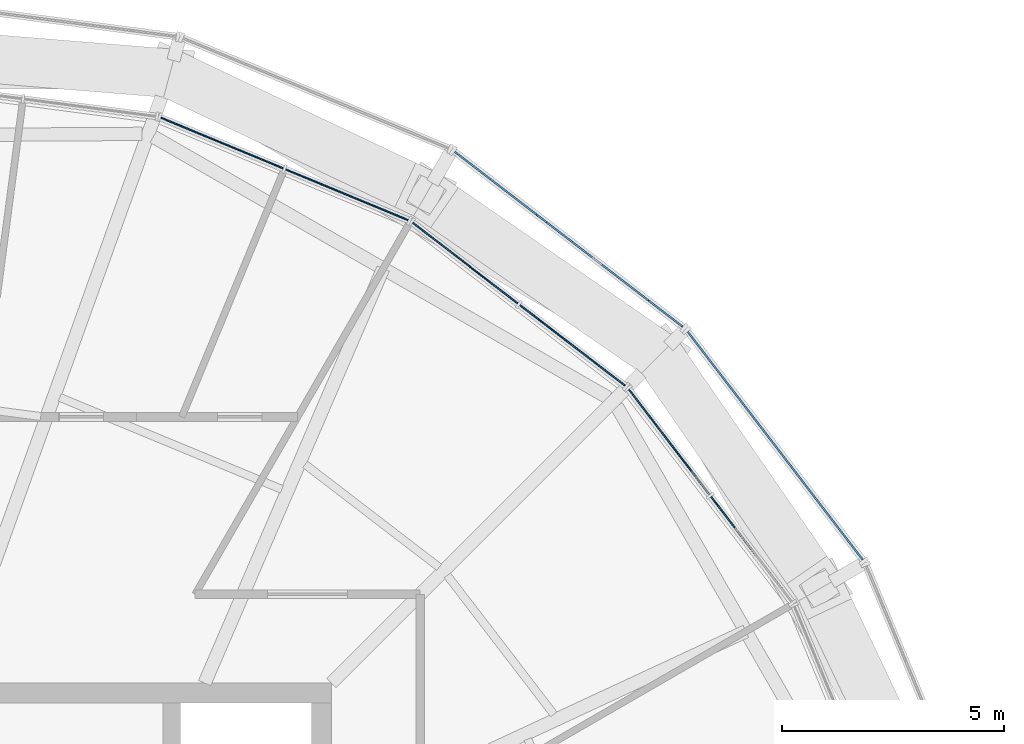
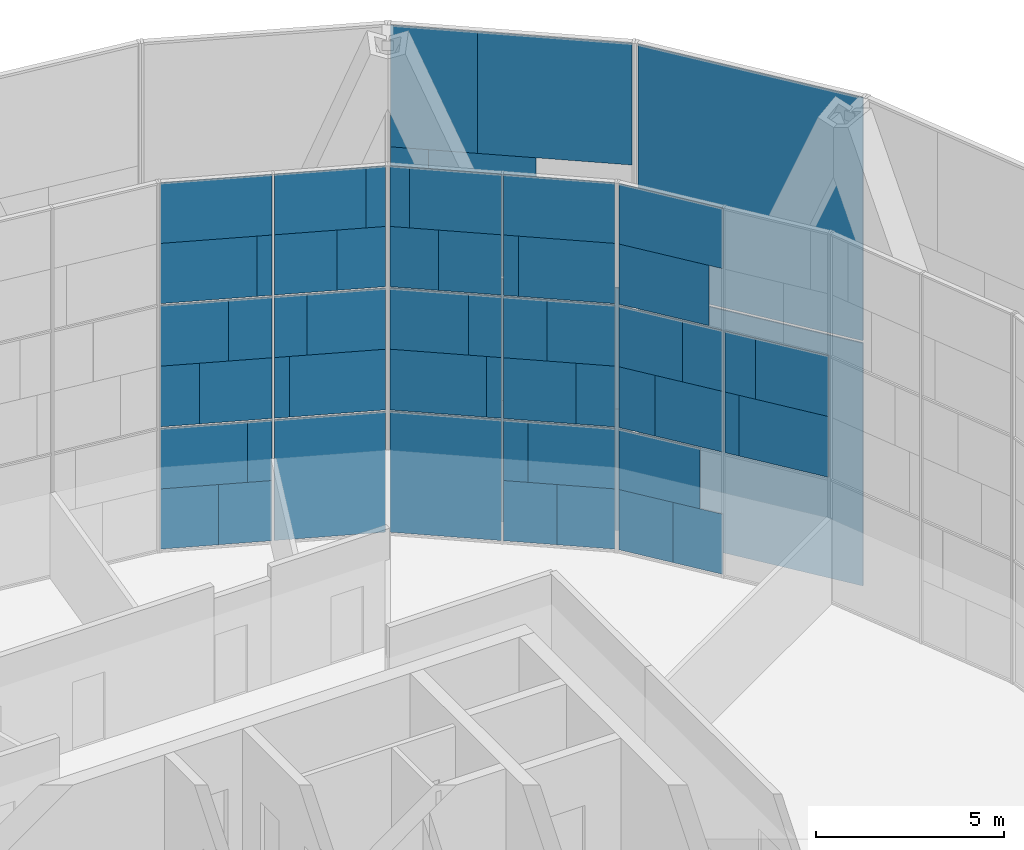
# One storey, part 22 of 26: 64 plates, 5 elements without a shape of their own.
"""IFC4 building model written with IfcOpenShell, lengths in metres."""

from ifc_helpers import new_model, si_unit, direction, frame, origin, origin_2d, place, context, subcontext, project, spatial, rectangle, extrude, material, layer, layer_set, type_object, element, aggregate, save


model = new_model("IFC4")

# Units and contexts
model_context = context("Model", 3, precision=1e-05, world=origin(), true_north=direction((0.0, 1.0)))
body_context = subcontext(model_context, "Body", "Model", "MODEL_VIEW")
ifc_project = project(units=[si_unit("LENGTHUNIT", "METRE"), si_unit("AREAUNIT", "SQUARE_METRE"), si_unit("VOLUMEUNIT", "CUBIC_METRE"), si_unit("PLANEANGLEUNIT", "RADIAN"), si_unit("MASSUNIT", "GRAM", prefix="KILO")], contexts=[model_context])

# Site, building, storey
site_placement = place(None, origin())
site = spatial("IfcSite", under=ifc_project, at=site_placement, CompositionType="ELEMENT")
building_placement = place(site_placement, origin())
building = spatial("IfcBuilding", under=site, at=building_placement, Name="Golbaran Civic Tower", CompositionType="ELEMENT")
storey_placement = place(building_placement, frame((0.0, 0.0, 199.0)))
storey = spatial("IfcBuildingStorey", under=building, at=storey_placement, Name="L48", CompositionType="ELEMENT", Elevation=199.0)

# Curtain wall, plates
ifc_material_1 = material(Name="Aluminium and glass", Category="aluminium")
curtain_wall_type_1 = type_object("IfcCurtainWallType", Name="INNER SKIN CURTAIN WALL EXECUTIVE", PredefinedType="NOTDEFINED", material=ifc_material_1)
curtain_wall_1_placement = place(storey_placement, origin())
curtain_wall_1 = element("IfcCurtainWall", 1, at=curtain_wall_1_placement, inside=storey, type_object=curtain_wall_type_1, Name="Inner skin L48 facet 3 CW2", ObjectType="INNER SKIN", PredefinedType="USERDEFINED")
ifc_material_2 = material(Name="Clear insulating glass", Category="glass")
ifc_layer_1 = layer(ifc_material_2, 0.031982421875, Name="Clear insulating glass")
ifc_layer_set_1 = layer_set([ifc_layer_1], Name="Clear insulating glass")
plate_type_1 = type_object("IfcPlateType", Name="INNER SKIN CURTAIN WALL EXECUTIVE GLAZED PANEL", PredefinedType="CURTAIN_PANEL", material=ifc_layer_set_1)
plate_1_placement = place(storey_placement, frame((19.586181640625, 12.8564453125, 4.02978515625), z_axis=(0.0, 0.0, 1.0), x_axis=(-0.60876142905, 0.793353340259, 0.0)))
plate_1 = element("IfcPlate", 2, at=plate_1_placement, type_object=plate_type_1, Name="CW2 panel 1.2 part 1", PredefinedType="CURTAIN_PANEL", context=body_context, shape_type="SweptSolid", body=[
    extrude(rectangle(XDim=2.5849609375, YDim=0.031982421875, at=origin_2d()), origin(), (0.0, 0.0, 1.0), 1.969970703125),
])
plate_2_placement = place(storey_placement, frame((19.731689453125, 12.6669921875, 6.0), z_axis=(0.0, 0.0, 1.0), x_axis=(-0.60876142905, 0.793353340259, 0.0)))
plate_2 = element("IfcPlate", 3, at=plate_2_placement, type_object=plate_type_1, Name="CW2 panel 1.2 part 3", PredefinedType="CURTAIN_PANEL", context=body_context, shape_type="SweptSolid", body=[
    extrude(rectangle(XDim=2.10693359375, YDim=0.031982421875, at=origin_2d()), origin(), (0.0, 0.0, 1.0), 1.969970703125),
])
plate_3_placement = place(storey_placement, frame((18.08251953125, 14.816162109375, 0.06005859375), z_axis=(0.0, 0.0, 1.0), x_axis=(-0.60876142905, 0.793353340259, 0.0)))
plate_3 = element("IfcPlate", 4, at=plate_3_placement, type_object=plate_type_1, Name="CW2 panel 2.1 part 1", PredefinedType="CURTAIN_PANEL", context=body_context, shape_type="SweptSolid", body=[
    extrude(rectangle(XDim=1.43310546875, YDim=0.031982421875, at=origin_2d()), origin(), (0.0, 0.0, 1.0), 1.955078125),
])
plate_4_placement = place(storey_placement, frame((17.0166015625, 16.205322265625, 4.02978515625), z_axis=(0.0, 0.0, 1.0), x_axis=(-0.60876142905, 0.793353340259, 0.0)))
plate_4 = element("IfcPlate", 5, at=plate_4_placement, type_object=plate_type_1, Name="CW2 panel 2.2 part 2", PredefinedType="CURTAIN_PANEL", context=body_context, shape_type="SweptSolid", body=[
    extrude(rectangle(XDim=1.037109375, YDim=0.031982421875, at=origin_2d()), origin(), (0.0, 0.0, 1.0), 1.969970703125),
])
plate_5_placement = place(storey_placement, frame((17.255615234375, 15.89404296875, 6.0), z_axis=(0.0, 0.0, 1.0), x_axis=(-0.60876142905, 0.793353340259, 0.0)))
plate_5 = element("IfcPlate", 6, at=plate_5_placement, type_object=plate_type_1, Name="CW2 panel 2.2 part 4", PredefinedType="CURTAIN_PANEL", context=body_context, shape_type="SweptSolid", body=[
    extrude(rectangle(XDim=1.822021484375, YDim=0.031982421875, at=origin_2d()), origin(), (0.0, 0.0, 1.0), 1.969970703125),
])
plate_6_placement = place(storey_placement, frame((17.488037109375, 15.5908203125, 8.030029296875), z_axis=(0.0, 0.0, 1.0), x_axis=(-0.60876142905, 0.793353340259, 0.0)))
plate_6 = element("IfcPlate", 7, at=plate_6_placement, type_object=plate_type_1, Name="CW2 panel 2.3 part 2", PredefinedType="CURTAIN_PANEL", context=body_context, shape_type="SweptSolid", body=[
    extrude(rectangle(XDim=2.586181640625, YDim=0.031982421875, at=origin_2d()), origin(), (0.0, 0.0, 1.0), 1.955078125),
])
plate_7_placement = place(storey_placement, frame((17.60986328125, 15.432373046875, 9.98486328125), z_axis=(0.0, 0.0, 1.0), x_axis=(-0.60876142905, 0.793353340259, 0.0)))
plate_7 = element("IfcPlate", 8, at=plate_7_placement, type_object=plate_type_1, Name="CW2 panel 2.3 part 3", PredefinedType="CURTAIN_PANEL", context=body_context, shape_type="SweptSolid", body=[
    extrude(rectangle(XDim=2.986083984375, YDim=0.031982421875, at=origin_2d()), origin(), (0.0, 0.0, 1.0), 1.955078125),
])

curtain_wall_2_placement = place(storey_placement, origin())
curtain_wall_2 = element("IfcCurtainWall", 9, at=curtain_wall_2_placement, inside=storey, type_object=curtain_wall_type_1, Name="Inner skin L48 facet 4 CW2", ObjectType="INNER SKIN", PredefinedType="USERDEFINED")
plate_8_placement = place(storey_placement, frame((14.816162109375, 18.08251953125, 0.06005859375), z_axis=(0.0, 0.0, 1.0), x_axis=(-0.793353340259, 0.60876142905, 0.0)))
plate_8 = element("IfcPlate", 10, at=plate_8_placement, type_object=plate_type_1, Name="CW2 panel 1.1 part 2", PredefinedType="CURTAIN_PANEL", context=body_context, shape_type="SweptSolid", body=[
    extrude(rectangle(XDim=1.43310546875, YDim=0.031982421875, at=origin_2d()), origin(), (0.0, 0.0, 1.0), 1.955078125),
])
plate_9_placement = place(storey_placement, frame((14.50732421875, 18.319580078125, 2.014892578125), z_axis=(0.0, 0.0, 1.0), x_axis=(-0.793353340259, 0.60876142905, 0.0)))
plate_9 = element("IfcPlate", 11, at=plate_9_placement, type_object=plate_type_1, Name="CW2 panel 1.1 part 4", PredefinedType="CURTAIN_PANEL", context=body_context, shape_type="SweptSolid", body=[
    extrude(rectangle(XDim=0.654052734375, YDim=0.031982421875, at=origin_2d()), origin(), (0.0, 0.0, 1.0), 1.955078125),
])
plate_10_placement = place(storey_placement, frame((16.205322265625, 17.0166015625, 4.02978515625), z_axis=(0.0, 0.0, 1.0), x_axis=(-0.793353340259, 0.60876142905, 0.0)))
plate_10 = element("IfcPlate", 12, at=plate_10_placement, type_object=plate_type_1, Name="CW2 panel 1.2 part 1", PredefinedType="CURTAIN_PANEL", context=body_context, shape_type="SweptSolid", body=[
    extrude(rectangle(XDim=1.037109375, YDim=0.031982421875, at=origin_2d()), origin(), (0.0, 0.0, 1.0), 1.969970703125),
])
plate_11_placement = place(storey_placement, frame((15.89404296875, 17.25537109375, 6.0), z_axis=(0.0, 0.0, 1.0), x_axis=(-0.793353340259, 0.60876142905, 0.0)))
plate_11 = element("IfcPlate", 13, at=plate_11_placement, type_object=plate_type_1, Name="CW2 panel 1.2 part 3", PredefinedType="CURTAIN_PANEL", context=body_context, shape_type="SweptSolid", body=[
    extrude(rectangle(XDim=1.822021484375, YDim=0.031982421875, at=origin_2d()), origin(), (0.0, 0.0, 1.0), 1.969970703125),
])
plate_12_placement = place(storey_placement, frame((15.59130859375, 17.48779296875, 8.030029296875), z_axis=(0.0, 0.0, 1.0), x_axis=(-0.793353340259, 0.60876142905, 0.0)))
plate_12 = element("IfcPlate", 14, at=plate_12_placement, type_object=plate_type_1, Name="CW2 panel 1.3 part 1", PredefinedType="CURTAIN_PANEL", context=body_context, shape_type="SweptSolid", body=[
    extrude(rectangle(XDim=2.5849609375, YDim=0.031982421875, at=origin_2d()), origin(), (0.0, 0.0, 1.0), 1.955078125),
])
plate_13_placement = place(storey_placement, frame((15.432373046875, 17.60986328125, 9.98486328125), z_axis=(0.0, 0.0, 1.0), x_axis=(-0.793353340259, 0.60876142905, 0.0)))
plate_13 = element("IfcPlate", 15, at=plate_13_placement, type_object=plate_type_1, Name="CW2 panel 1.3 part 3", PredefinedType="CURTAIN_PANEL", context=body_context, shape_type="SweptSolid", body=[
    extrude(rectangle(XDim=2.986083984375, YDim=0.031982421875, at=origin_2d()), origin(), (0.0, 0.0, 1.0), 1.955078125),
])
plate_14_placement = place(storey_placement, frame((13.015625, 19.464111328125, 0.06005859375), z_axis=(0.0, 0.0, 1.0), x_axis=(-0.793353340259, 0.60876142905, 0.0)))
plate_14 = element("IfcPlate", 16, at=plate_14_placement, type_object=plate_type_1, Name="CW2 panel 2.1", PredefinedType="CURTAIN_PANEL", context=body_context, shape_type="SweptSolid", body=[
    extrude(rectangle(XDim=2.986083984375, YDim=0.031982421875, at=origin_2d()), origin(), (0.0, 0.0, 1.0), 3.909912109375),
])
plate_15_placement = place(storey_placement, frame((12.85693359375, 19.5859375, 4.02978515625), z_axis=(0.0, 0.0, 1.0), x_axis=(-0.793353340259, 0.60876142905, 0.0)))
plate_15 = element("IfcPlate", 17, at=plate_15_placement, type_object=plate_type_1, Name="CW2 panel 2.2 part 2", PredefinedType="CURTAIN_PANEL", context=body_context, shape_type="SweptSolid", body=[
    extrude(rectangle(XDim=2.586181640625, YDim=0.031982421875, at=origin_2d()), origin(), (0.0, 0.0, 1.0), 1.969970703125),
])
plate_16_placement = place(storey_placement, frame((12.6669921875, 19.731689453125, 6.0), z_axis=(0.0, 0.0, 1.0), x_axis=(-0.793353340259, 0.60876142905, 0.0)))
plate_16 = element("IfcPlate", 18, at=plate_16_placement, type_object=plate_type_1, Name="CW2 panel 2.2 part 4", PredefinedType="CURTAIN_PANEL", context=body_context, shape_type="SweptSolid", body=[
    extrude(rectangle(XDim=2.107177734375, YDim=0.031982421875, at=origin_2d()), origin(), (0.0, 0.0, 1.0), 1.969970703125),
])
plate_17_placement = place(storey_placement, frame((12.348388671875, 19.97607421875, 8.030029296875), z_axis=(0.0, 0.0, 1.0), x_axis=(-0.793353340259, 0.60876142905, 0.0)))
plate_17 = element("IfcPlate", 19, at=plate_17_placement, type_object=plate_type_1, Name="CW2 panel 2.3 part 2", PredefinedType="CURTAIN_PANEL", context=body_context, shape_type="SweptSolid", body=[
    extrude(rectangle(XDim=1.30419921875, YDim=0.031982421875, at=origin_2d()), origin(), (0.0, 0.0, 1.0), 1.955078125),
])
plate_18_placement = place(storey_placement, frame((12.039306640625, 20.21337890625, 9.98486328125), z_axis=(0.0, 0.0, 1.0), x_axis=(-0.793353340259, 0.60876142905, 0.0)))
plate_18 = element("IfcPlate", 20, at=plate_18_placement, type_object=plate_type_1, Name="CW2 panel 2.3 part 4", PredefinedType="CURTAIN_PANEL", context=body_context, shape_type="SweptSolid", body=[
    extrude(rectangle(XDim=0.525146484375, YDim=0.031982421875, at=origin_2d()), origin(), (0.0, 0.0, 1.0), 1.955078125),
])

curtain_wall_3_placement = place(storey_placement, origin())
curtain_wall_3 = element("IfcCurtainWall", 21, at=curtain_wall_3_placement, inside=storey, type_object=curtain_wall_type_1, Name="Inner skin L48 facet 5 CW2", ObjectType="INNER SKIN", PredefinedType="USERDEFINED")
plate_19_placement = place(storey_placement, frame((10.3486328125, 21.00390625, 0.06005859375), z_axis=(0.0, 0.0, 1.0), x_axis=(-0.923879532518, 0.382683432349, 0.0)))
plate_19 = element("IfcPlate", 22, at=plate_19_placement, type_object=plate_type_1, Name="CW2 panel 1.1", PredefinedType="CURTAIN_PANEL", context=body_context, shape_type="SweptSolid", body=[
    extrude(rectangle(XDim=2.986083984375, YDim=0.031982421875, at=origin_2d()), origin(), (0.0, 0.0, 1.0), 3.909912109375),
])
plate_20_placement = place(storey_placement, frame((10.533935546875, 20.92724609375, 4.02978515625), z_axis=(0.0, 0.0, 1.0), x_axis=(-0.923879532518, 0.382683432349, 0.0)))
plate_20 = element("IfcPlate", 23, at=plate_20_placement, type_object=plate_type_1, Name="CW2 panel 1.2 part 1", PredefinedType="CURTAIN_PANEL", context=body_context, shape_type="SweptSolid", body=[
    extrude(rectangle(XDim=2.5849609375, YDim=0.031982421875, at=origin_2d()), origin(), (0.0, 0.0, 1.0), 1.969970703125),
])
plate_21_placement = place(storey_placement, frame((10.754638671875, 20.835693359375, 6.0), z_axis=(0.0, 0.0, 1.0), x_axis=(-0.923879532518, 0.382683432349, 0.0)))
plate_21 = element("IfcPlate", 24, at=plate_21_placement, type_object=plate_type_1, Name="CW2 panel 1.2 part 3", PredefinedType="CURTAIN_PANEL", context=body_context, shape_type="SweptSolid", body=[
    extrude(rectangle(XDim=2.10693359375, YDim=0.031982421875, at=origin_2d()), origin(), (0.0, 0.0, 1.0), 1.969970703125),
])
plate_22_placement = place(storey_placement, frame((11.125732421875, 20.68212890625, 8.030029296875), z_axis=(0.0, 0.0, 1.0), x_axis=(-0.923879532518, 0.382683432349, 0.0)))
plate_22 = element("IfcPlate", 25, at=plate_22_placement, type_object=plate_type_1, Name="CW2 panel 1.3 part 1", PredefinedType="CURTAIN_PANEL", context=body_context, shape_type="SweptSolid", body=[
    extrude(rectangle(XDim=1.303955078125, YDim=0.031982421875, at=origin_2d()), origin(), (0.0, 0.0, 1.0), 1.955078125),
])
plate_23_placement = place(storey_placement, frame((11.485595703125, 20.532958984375, 9.98486328125), z_axis=(0.0, 0.0, 1.0), x_axis=(-0.923879532518, 0.382683432349, 0.0)))
plate_23 = element("IfcPlate", 26, at=plate_23_placement, type_object=plate_type_1, Name="CW2 panel 1.3 part 3", PredefinedType="CURTAIN_PANEL", context=body_context, shape_type="SweptSolid", body=[
    extrude(rectangle(XDim=0.52490234375, YDim=0.031982421875, at=origin_2d()), origin(), (0.0, 0.0, 1.0), 1.955078125),
])
plate_24_placement = place(storey_placement, frame((8.251953125, 21.87255859375, 0.06005859375), z_axis=(0.0, 0.0, 1.0), x_axis=(-0.923879532518, 0.382683432349, 0.0)))
plate_24 = element("IfcPlate", 27, at=plate_24_placement, type_object=plate_type_1, Name="CW2 panel 2.1 part 1", PredefinedType="CURTAIN_PANEL", context=body_context, shape_type="SweptSolid", body=[
    extrude(rectangle(XDim=1.43310546875, YDim=0.031982421875, at=origin_2d()), origin(), (0.0, 0.0, 1.0), 1.955078125),
])
plate_25_placement = place(storey_placement, frame((8.61181640625, 21.723388671875, 2.014892578125), z_axis=(0.0, 0.0, 1.0), x_axis=(-0.923879532518, 0.382683432349, 0.0)))
plate_25 = element("IfcPlate", 28, at=plate_25_placement, type_object=plate_type_1, Name="CW2 panel 2.1 part 3", PredefinedType="CURTAIN_PANEL", context=body_context, shape_type="SweptSolid", body=[
    extrude(rectangle(XDim=0.654052734375, YDim=0.031982421875, at=origin_2d()), origin(), (0.0, 0.0, 1.0), 1.955078125),
])
plate_26_placement = place(storey_placement, frame((6.634033203125, 22.54248046875, 4.02978515625), z_axis=(0.0, 0.0, 1.0), x_axis=(-0.923879532518, 0.382683432349, 0.0)))
plate_26 = element("IfcPlate", 29, at=plate_26_placement, type_object=plate_type_1, Name="CW2 panel 2.2 part 2", PredefinedType="CURTAIN_PANEL", context=body_context, shape_type="SweptSolid", body=[
    extrude(rectangle(XDim=1.037109375, YDim=0.031982421875, at=origin_2d()), origin(), (0.0, 0.0, 1.0), 1.969970703125),
])
plate_27_placement = place(storey_placement, frame((6.996826171875, 22.392333984375, 6.0), z_axis=(0.0, 0.0, 1.0), x_axis=(-0.923879532518, 0.382683432349, 0.0)))
plate_27 = element("IfcPlate", 30, at=plate_27_placement, type_object=plate_type_1, Name="CW2 panel 2.2 part 4", PredefinedType="CURTAIN_PANEL", context=body_context, shape_type="SweptSolid", body=[
    extrude(rectangle(XDim=1.822021484375, YDim=0.031982421875, at=origin_2d()), origin(), (0.0, 0.0, 1.0), 1.969970703125),
])
plate_28_placement = place(storey_placement, frame((7.349609375, 22.24609375, 8.030029296875), z_axis=(0.0, 0.0, 1.0), x_axis=(-0.923879532518, 0.382683432349, 0.0)))
plate_28 = element("IfcPlate", 31, at=plate_28_placement, type_object=plate_type_1, Name="CW2 panel 2.3 part 2", PredefinedType="CURTAIN_PANEL", context=body_context, shape_type="SweptSolid", body=[
    extrude(rectangle(XDim=2.586181640625, YDim=0.031982421875, at=origin_2d()), origin(), (0.0, 0.0, 1.0), 1.955078125),
])
plate_29_placement = place(storey_placement, frame((7.534423828125, 22.169677734375, 9.98486328125), z_axis=(0.0, 0.0, 1.0), x_axis=(-0.923879532518, 0.382683432349, 0.0)))
plate_29 = element("IfcPlate", 32, at=plate_29_placement, type_object=plate_type_1, Name="CW2 panel 2.3 part 3", PredefinedType="CURTAIN_PANEL", context=body_context, shape_type="SweptSolid", body=[
    extrude(rectangle(XDim=2.986083984375, YDim=0.031982421875, at=origin_2d()), origin(), (0.0, 0.0, 1.0), 1.955078125),
])

# Plate
ifc_material_3 = material(Name="Aluminium faced opaque infill panel", Category="aluminium")
ifc_layer_2 = layer(ifc_material_3, 0.031982421875, Name="Aluminium faced opaque infill panel")
ifc_layer_set_2 = layer_set([ifc_layer_2], Name="Aluminium faced opaque infill panel")
plate_type_2 = type_object("IfcPlateType", Name="INNER SKIN CURTAIN WALL EXECUTIVE OPAQUE INFILL PANEL", PredefinedType="CURTAIN_PANEL", material=ifc_layer_set_2)
plate_30_placement = place(storey_placement, frame((18.67724609375, 14.041015625, 4.02978515625), z_axis=(0.0, 0.0, 1.0), x_axis=(-0.60876142905, 0.793353340259, 0.0)))
plate_30 = element("IfcPlate", 33, at=plate_30_placement, type_object=plate_type_2, Name="CW2 infill panel 1.2 part 2", PredefinedType="CURTAIN_PANEL", context=body_context, shape_type="SweptSolid", body=[
    extrude(rectangle(XDim=0.401123046875, YDim=0.031982421875, at=origin_2d()), origin(), (0.0, 0.0, 1.0), 1.969970703125),
])

plate_31_placement = place(storey_placement, frame((18.82275390625, 13.851318359375, 6.0), z_axis=(0.0, 0.0, 1.0), x_axis=(-0.60876142905, 0.793353340259, 0.0)))
plate_31 = element("IfcPlate", 34, at=plate_31_placement, type_object=plate_type_2, Name="CW2 infill panel 1.2 part 4", PredefinedType="CURTAIN_PANEL", context=body_context, shape_type="SweptSolid", body=[
    extrude(rectangle(XDim=0.879150390625, YDim=0.031982421875, at=origin_2d()), origin(), (0.0, 0.0, 1.0), 1.969970703125),
])

plate_32_placement = place(storey_placement, frame((17.173583984375, 16.000732421875, 0.06005859375), z_axis=(0.0, 0.0, 1.0), x_axis=(-0.60876142905, 0.793353340259, 0.0)))
plate_32 = element("IfcPlate", 35, at=plate_32_placement, type_object=plate_type_2, Name="CW2 infill panel 2.1 part 2", PredefinedType="CURTAIN_PANEL", context=body_context, shape_type="SweptSolid", body=[
    extrude(rectangle(XDim=1.55322265625, YDim=0.031982421875, at=origin_2d()), origin(), (0.0, 0.0, 1.0), 1.955078125),
])

plate_33_placement = place(storey_placement, frame((17.41064453125, 15.691650390625, 2.014892578125), z_axis=(0.0, 0.0, 1.0), x_axis=(-0.60876142905, 0.793353340259, 0.0)))
plate_33 = element("IfcPlate", 36, at=plate_33_placement, type_object=plate_type_2, Name="CW2 infill panel 2.1 part 4", PredefinedType="CURTAIN_PANEL", context=body_context, shape_type="SweptSolid", body=[
    extrude(rectangle(XDim=2.33203125, YDim=0.031982421875, at=origin_2d()), origin(), (0.0, 0.0, 1.0), 1.955078125),
])

plate_34_placement = place(storey_placement, frame((17.925537109375, 15.020751953125, 4.02978515625), z_axis=(0.0, 0.0, 1.0), x_axis=(-0.60876142905, 0.793353340259, 0.0)))
plate_34 = element("IfcPlate", 37, at=plate_34_placement, type_object=plate_type_2, Name="CW2 infill panel 2.2 part 1", PredefinedType="CURTAIN_PANEL", context=body_context, shape_type="SweptSolid", body=[
    extrude(rectangle(XDim=1.948974609375, YDim=0.031982421875, at=origin_2d()), origin(), (0.0, 0.0, 1.0), 1.969970703125),
])

plate_35_placement = place(storey_placement, frame((18.16455078125, 14.70947265625, 6.0), z_axis=(0.0, 0.0, 1.0), x_axis=(-0.60876142905, 0.793353340259, 0.0)))
plate_35 = element("IfcPlate", 38, at=plate_35_placement, type_object=plate_type_2, Name="CW2 infill panel 2.2 part 3", PredefinedType="CURTAIN_PANEL", context=body_context, shape_type="SweptSolid", body=[
    extrude(rectangle(XDim=1.1640625, YDim=0.031982421875, at=origin_2d()), origin(), (0.0, 0.0, 1.0), 1.969970703125),
])

aggregate(curtain_wall_1, [plate_1, plate_30, plate_2, plate_31, plate_3, plate_32, plate_33, plate_34, plate_4, plate_35, plate_5, plate_6, plate_7])

plate_36_placement = place(storey_placement, frame((16.000732421875, 17.173583984375, 0.06005859375), z_axis=(0.0, 0.0, 1.0), x_axis=(-0.793353340259, 0.60876142905, 0.0)))
plate_36 = element("IfcPlate", 39, at=plate_36_placement, type_object=plate_type_2, Name="CW2 infill panel 1.1 part 1", PredefinedType="CURTAIN_PANEL", context=body_context, shape_type="SweptSolid", body=[
    extrude(rectangle(XDim=1.552978515625, YDim=0.031982421875, at=origin_2d()), origin(), (0.0, 0.0, 1.0), 1.955078125),
])

plate_37_placement = place(storey_placement, frame((15.691650390625, 17.41064453125, 2.014892578125), z_axis=(0.0, 0.0, 1.0), x_axis=(-0.793353340259, 0.60876142905, 0.0)))
plate_37 = element("IfcPlate", 40, at=plate_37_placement, type_object=plate_type_2, Name="CW2 infill panel 1.1 part 3", PredefinedType="CURTAIN_PANEL", context=body_context, shape_type="SweptSolid", body=[
    extrude(rectangle(XDim=2.33203125, YDim=0.031982421875, at=origin_2d()), origin(), (0.0, 0.0, 1.0), 1.955078125),
])

plate_38_placement = place(storey_placement, frame((15.02099609375, 17.925537109375, 4.02978515625), z_axis=(0.0, 0.0, 1.0), x_axis=(-0.793353340259, 0.60876142905, 0.0)))
plate_38 = element("IfcPlate", 41, at=plate_38_placement, type_object=plate_type_2, Name="CW2 infill panel 1.2 part 2", PredefinedType="CURTAIN_PANEL", context=body_context, shape_type="SweptSolid", body=[
    extrude(rectangle(XDim=1.94921875, YDim=0.031982421875, at=origin_2d()), origin(), (0.0, 0.0, 1.0), 1.969970703125),
])

plate_39_placement = place(storey_placement, frame((14.70947265625, 18.164306640625, 6.0), z_axis=(0.0, 0.0, 1.0), x_axis=(-0.793353340259, 0.60876142905, 0.0)))
plate_39 = element("IfcPlate", 42, at=plate_39_placement, type_object=plate_type_2, Name="CW2 infill panel 1.2 part 4", PredefinedType="CURTAIN_PANEL", context=body_context, shape_type="SweptSolid", body=[
    extrude(rectangle(XDim=1.1640625, YDim=0.031982421875, at=origin_2d()), origin(), (0.0, 0.0, 1.0), 1.969970703125),
])

plate_40_placement = place(storey_placement, frame((14.40673828125, 18.396728515625, 8.030029296875), z_axis=(0.0, 0.0, 1.0), x_axis=(-0.793353340259, 0.60876142905, 0.0)))
plate_40 = element("IfcPlate", 43, at=plate_40_placement, type_object=plate_type_2, Name="CW2 infill panel 1.3 part 2", PredefinedType="CURTAIN_PANEL", context=body_context, shape_type="SweptSolid", body=[
    extrude(rectangle(XDim=0.401123046875, YDim=0.031982421875, at=origin_2d()), origin(), (0.0, 0.0, 1.0), 1.955078125),
])

plate_41_placement = place(storey_placement, frame((14.04150390625, 18.677001953125, 4.02978515625), z_axis=(0.0, 0.0, 1.0), x_axis=(-0.793353340259, 0.60876142905, 0.0)))
plate_41 = element("IfcPlate", 44, at=plate_41_placement, type_object=plate_type_2, Name="CW2 infill panel 2.2 part 1", PredefinedType="CURTAIN_PANEL", context=body_context, shape_type="SweptSolid", body=[
    extrude(rectangle(XDim=0.39990234375, YDim=0.031982421875, at=origin_2d()), origin(), (0.0, 0.0, 1.0), 1.969970703125),
])

plate_42_placement = place(storey_placement, frame((13.8515625, 18.82275390625, 6.0), z_axis=(0.0, 0.0, 1.0), x_axis=(-0.793353340259, 0.60876142905, 0.0)))
plate_42 = element("IfcPlate", 45, at=plate_42_placement, type_object=plate_type_2, Name="CW2 infill panel 2.2 part 3", PredefinedType="CURTAIN_PANEL", context=body_context, shape_type="SweptSolid", body=[
    extrude(rectangle(XDim=0.87890625, YDim=0.031982421875, at=origin_2d()), origin(), (0.0, 0.0, 1.0), 1.969970703125),
])

plate_43_placement = place(storey_placement, frame((13.532958984375, 19.067138671875, 8.030029296875), z_axis=(0.0, 0.0, 1.0), x_axis=(-0.793353340259, 0.60876142905, 0.0)))
plate_43 = element("IfcPlate", 46, at=plate_43_placement, type_object=plate_type_2, Name="CW2 infill panel 2.3 part 1", PredefinedType="CURTAIN_PANEL", context=body_context, shape_type="SweptSolid", body=[
    extrude(rectangle(XDim=1.681884765625, YDim=0.031982421875, at=origin_2d()), origin(), (0.0, 0.0, 1.0), 1.955078125),
])

plate_44_placement = place(storey_placement, frame((13.223876953125, 19.304443359375, 9.98486328125), z_axis=(0.0, 0.0, 1.0), x_axis=(-0.793353340259, 0.60876142905, 0.0)))
plate_44 = element("IfcPlate", 47, at=plate_44_placement, type_object=plate_type_2, Name="CW2 infill panel 2.3 part 3", PredefinedType="CURTAIN_PANEL", context=body_context, shape_type="SweptSolid", body=[
    extrude(rectangle(XDim=2.4609375, YDim=0.031982421875, at=origin_2d()), origin(), (0.0, 0.0, 1.0), 1.955078125),
])

aggregate(curtain_wall_2, [plate_36, plate_8, plate_37, plate_9, plate_10, plate_38, plate_11, plate_39, plate_12, plate_40, plate_13, plate_14, plate_41, plate_15, plate_42, plate_16, plate_43, plate_17, plate_44, plate_18])

plate_45_placement = place(storey_placement, frame((9.154541015625, 21.49853515625, 4.02978515625), z_axis=(0.0, 0.0, 1.0), x_axis=(-0.923879532518, 0.382683432349, 0.0)))
plate_45 = element("IfcPlate", 48, at=plate_45_placement, type_object=plate_type_2, Name="CW2 infill panel 1.2 part 2", PredefinedType="CURTAIN_PANEL", context=body_context, shape_type="SweptSolid", body=[
    extrude(rectangle(XDim=0.401123046875, YDim=0.031982421875, at=origin_2d()), origin(), (0.0, 0.0, 1.0), 1.969970703125),
])

plate_46_placement = place(storey_placement, frame((9.375244140625, 21.4072265625, 6.0), z_axis=(0.0, 0.0, 1.0), x_axis=(-0.923879532518, 0.382683432349, 0.0)))
plate_46 = element("IfcPlate", 49, at=plate_46_placement, type_object=plate_type_2, Name="CW2 infill panel 1.2 part 4", PredefinedType="CURTAIN_PANEL", context=body_context, shape_type="SweptSolid", body=[
    extrude(rectangle(XDim=0.879150390625, YDim=0.031982421875, at=origin_2d()), origin(), (0.0, 0.0, 1.0), 1.969970703125),
])

plate_47_placement = place(storey_placement, frame((9.746337890625, 21.25341796875, 8.030029296875), z_axis=(0.0, 0.0, 1.0), x_axis=(-0.923879532518, 0.382683432349, 0.0)))
plate_47 = element("IfcPlate", 50, at=plate_47_placement, type_object=plate_type_2, Name="CW2 infill panel 1.3 part 2", PredefinedType="CURTAIN_PANEL", context=body_context, shape_type="SweptSolid", body=[
    extrude(rectangle(XDim=1.68212890625, YDim=0.031982421875, at=origin_2d()), origin(), (0.0, 0.0, 1.0), 1.955078125),
])

plate_48_placement = place(storey_placement, frame((10.106201171875, 21.1044921875, 9.98486328125), z_axis=(0.0, 0.0, 1.0), x_axis=(-0.923879532518, 0.382683432349, 0.0)))
plate_48 = element("IfcPlate", 51, at=plate_48_placement, type_object=plate_type_2, Name="CW2 infill panel 1.3 part 4", PredefinedType="CURTAIN_PANEL", context=body_context, shape_type="SweptSolid", body=[
    extrude(rectangle(XDim=2.461181640625, YDim=0.031982421875, at=origin_2d()), origin(), (0.0, 0.0, 1.0), 1.955078125),
])

plate_49_placement = place(storey_placement, frame((6.87255859375, 22.44384765625, 0.06005859375), z_axis=(0.0, 0.0, 1.0), x_axis=(-0.923879532518, 0.382683432349, 0.0)))
plate_49 = element("IfcPlate", 52, at=plate_49_placement, type_object=plate_type_2, Name="CW2 infill panel 2.1 part 2", PredefinedType="CURTAIN_PANEL", context=body_context, shape_type="SweptSolid", body=[
    extrude(rectangle(XDim=1.55322265625, YDim=0.031982421875, at=origin_2d()), origin(), (0.0, 0.0, 1.0), 1.955078125),
])

plate_50_placement = place(storey_placement, frame((7.232421875, 22.294677734375, 2.014892578125), z_axis=(0.0, 0.0, 1.0), x_axis=(-0.923879532518, 0.382683432349, 0.0)))
plate_50 = element("IfcPlate", 53, at=plate_50_placement, type_object=plate_type_2, Name="CW2 infill panel 2.1 part 4", PredefinedType="CURTAIN_PANEL", context=body_context, shape_type="SweptSolid", body=[
    extrude(rectangle(XDim=2.33203125, YDim=0.031982421875, at=origin_2d()), origin(), (0.0, 0.0, 1.0), 1.955078125),
])

plate_51_placement = place(storey_placement, frame((8.013427734375, 21.97119140625, 4.02978515625), z_axis=(0.0, 0.0, 1.0), x_axis=(-0.923879532518, 0.382683432349, 0.0)))
plate_51 = element("IfcPlate", 54, at=plate_51_placement, type_object=plate_type_2, Name="CW2 infill panel 2.2 part 1", PredefinedType="CURTAIN_PANEL", context=body_context, shape_type="SweptSolid", body=[
    extrude(rectangle(XDim=1.948974609375, YDim=0.031982421875, at=origin_2d()), origin(), (0.0, 0.0, 1.0), 1.969970703125),
])

plate_52_placement = place(storey_placement, frame((8.376220703125, 21.821044921875, 6.0), z_axis=(0.0, 0.0, 1.0), x_axis=(-0.923879532518, 0.382683432349, 0.0)))
plate_52 = element("IfcPlate", 55, at=plate_52_placement, type_object=plate_type_2, Name="CW2 infill panel 2.2 part 3", PredefinedType="CURTAIN_PANEL", context=body_context, shape_type="SweptSolid", body=[
    extrude(rectangle(XDim=1.1640625, YDim=0.031982421875, at=origin_2d()), origin(), (0.0, 0.0, 1.0), 1.969970703125),
])

plate_53_placement = place(storey_placement, frame((8.72900390625, 21.6748046875, 8.030029296875), z_axis=(0.0, 0.0, 1.0), x_axis=(-0.923879532518, 0.382683432349, 0.0)))
plate_53 = element("IfcPlate", 56, at=plate_53_placement, type_object=plate_type_2, Name="CW2 infill panel 2.3 part 1", PredefinedType="CURTAIN_PANEL", context=body_context, shape_type="SweptSolid", body=[
    extrude(rectangle(XDim=0.39990234375, YDim=0.031982421875, at=origin_2d()), origin(), (0.0, 0.0, 1.0), 1.955078125),
])

aggregate(curtain_wall_3, [plate_19, plate_20, plate_45, plate_21, plate_46, plate_22, plate_47, plate_23, plate_48, plate_24, plate_49, plate_25, plate_50, plate_51, plate_26, plate_52, plate_27, plate_53, plate_28, plate_29])

# Curtain wall, plates
curtain_wall_type_2 = type_object("IfcCurtainWallType", Name="OUTER SKIN TERRACOTTA SCREEN", PredefinedType="NOTDEFINED", material=ifc_material_1)
curtain_wall_4_placement = place(storey_placement, origin())
curtain_wall_4 = element("IfcCurtainWall", 57, at=curtain_wall_4_placement, inside=storey, type_object=curtain_wall_type_2, Name="Outer skin L48 facet 4 CW3", ObjectType="OUTER SKIN", PredefinedType="USERDEFINED")
ifc_material_4 = material(Name="Clear laminated glass", Category="glass")
ifc_layer_3 = layer(ifc_material_4, 0.0400390625, Name="Clear laminated glass")
ifc_layer_set_3 = layer_set([ifc_layer_3], Name="Clear laminated glass")
plate_type_3 = type_object("IfcPlateType", Name="OUTER SKIN CLEAR GLASS PANEL", PredefinedType="CURTAIN_PANEL", material=ifc_layer_set_3)
plate_54_placement = place(storey_placement, frame((14.43798828125, 20.698486328125, -0.6298828125), z_axis=(0.0, 0.0, 1.0), x_axis=(-0.793353340323, 0.608761428967, 0.0)))
plate_54 = element("IfcPlate", 58, at=plate_54_placement, type_object=plate_type_3, Name="CW3 panel 1.1 part 2", PredefinedType="CURTAIN_PANEL", context=body_context, shape_type="SweptSolid", body=[
    extrude(rectangle(XDim=4.18603515625, YDim=0.0400390625, at=origin_2d()), origin(), (0.0, 0.0, 1.0), 3.93994140625),
])
plate_55_placement = place(storey_placement, frame((17.53076171875, 18.3251953125, 3.31005859375), z_axis=(0.0, 0.0, 1.0), x_axis=(-0.793353340323, 0.608761428967, 0.0)))
plate_55 = element("IfcPlate", 59, at=plate_55_placement, type_object=plate_type_3, Name="CW3 panel 1.1 part 3", PredefinedType="CURTAIN_PANEL", context=body_context, shape_type="SweptSolid", body=[
    extrude(rectangle(XDim=0.972900390625, YDim=0.0400390625, at=origin_2d()), origin(), (0.0, 0.0, 1.0), 3.93994140625),
])
plate_56_placement = place(storey_placement, frame((13.815673828125, 21.176025390625, 3.31005859375), z_axis=(0.0, 0.0, 1.0), x_axis=(-0.793353340323, 0.608761428967, 0.0)))
plate_56 = element("IfcPlate", 60, at=plate_56_placement, type_object=plate_type_3, Name="CW3 panel 1.1 part 5", PredefinedType="CURTAIN_PANEL", context=body_context, shape_type="SweptSolid", body=[
    extrude(rectangle(XDim=2.616943359375, YDim=0.0400390625, at=origin_2d()), origin(), (0.0, 0.0, 1.0), 3.93994140625),
])
plate_57_placement = place(storey_placement, frame((13.18017578125, 21.66357421875, 7.330078125), z_axis=(0.0, 0.0, 1.0), x_axis=(-0.793353340323, 0.608761428967, 0.0)))
plate_57 = element("IfcPlate", 61, at=plate_57_placement, type_object=plate_type_3, Name="CW3 panel 1.2 part 3", PredefinedType="CURTAIN_PANEL", context=body_context, shape_type="SweptSolid", body=[
    extrude(rectangle(XDim=1.01513671875, YDim=0.0400390625, at=origin_2d()), origin(), (0.0, 0.0, 1.0), 3.93994140625),
])
plate_58_placement = place(storey_placement, frame((16.27099609375, 19.2919921875, 11.27001953125), z_axis=(0.0, 0.0, 1.0), x_axis=(-0.793353340323, 0.608761428967, 0.0)))
plate_58 = element("IfcPlate", 62, at=plate_58_placement, type_object=plate_type_3, Name="CW3 panel 1.2 part 4", PredefinedType="CURTAIN_PANEL", context=body_context, shape_type="SweptSolid", body=[
    extrude(rectangle(XDim=4.14892578125, YDim=0.0400390625, at=origin_2d()), origin(), (0.0, 0.0, 1.0), 3.93994140625),
])
ifc_material_5 = material(Name="Terracotta baguette screen", Category="masonry")
ifc_layer_4 = layer(ifc_material_5, 0.0400390625, Name="Terracotta baguette screen")
ifc_layer_set_4 = layer_set([ifc_layer_4], Name="Terracotta baguette screen")
plate_type_4 = type_object("IfcPlateType", Name="OUTER SKIN TERRACOTTA INFILL PANEL", PredefinedType="CURTAIN_PANEL", material=ifc_layer_set_4)
plate_59_placement = place(storey_placement, frame((17.007568359375, 18.7265625, -0.6298828125), z_axis=(0.0, 0.0, 1.0), x_axis=(-0.793353340323, 0.608761428967, 0.0)))
plate_59 = element("IfcPlate", 63, at=plate_59_placement, type_object=plate_type_4, Name="CW3 infill panel 1.1 part 1", PredefinedType="CURTAIN_PANEL", context=body_context, shape_type="SweptSolid", body=[
    extrude(rectangle(XDim=2.2919921875, YDim=0.0400390625, at=origin_2d()), origin(), (0.0, 0.0, 1.0), 3.93994140625),
])
plate_60_placement = place(storey_placement, frame((15.999267578125, 19.50048828125, 3.31005859375), z_axis=(0.0, 0.0, 1.0), x_axis=(-0.793353340323, 0.608761428967, 0.0)))
plate_60 = element("IfcPlate", 64, at=plate_60_placement, type_object=plate_type_4, Name="CW3 infill panel 1.1 part 4", PredefinedType="CURTAIN_PANEL", context=body_context, shape_type="SweptSolid", body=[
    extrude(rectangle(XDim=2.887939453125, YDim=0.0400390625, at=origin_2d()), origin(), (0.0, 0.0, 1.0), 3.93994140625),
])
plate_61_placement = place(storey_placement, frame((14.72802734375, 20.475830078125, 7.330078125), z_axis=(0.0, 0.0, 1.0), x_axis=(-0.793353340323, 0.608761428967, 0.0)))
plate_61 = element("IfcPlate", 65, at=plate_61_placement, type_object=plate_type_4, Name="CW3 infill panel 1.2 part 2", PredefinedType="CURTAIN_PANEL", context=body_context, shape_type="SweptSolid", body=[
    extrude(rectangle(XDim=2.886962890625, YDim=0.0400390625, at=origin_2d()), origin(), (0.0, 0.0, 1.0), 3.93994140625),
])
plate_62_placement = place(storey_placement, frame((13.701416015625, 21.263671875, 11.27001953125), z_axis=(0.0, 0.0, 1.0), x_axis=(-0.793353340323, 0.608761428967, 0.0)))
plate_62 = element("IfcPlate", 66, at=plate_62_placement, type_object=plate_type_4, Name="CW3 infill panel 1.2 part 5", PredefinedType="CURTAIN_PANEL", context=body_context, shape_type="SweptSolid", body=[
    extrude(rectangle(XDim=2.3291015625, YDim=0.0400390625, at=origin_2d()), origin(), (0.0, 0.0, 1.0), 3.93994140625),
])
aggregate(curtain_wall_4, [plate_59, plate_54, plate_55, plate_60, plate_56, plate_61, plate_57, plate_58, plate_62])

curtain_wall_5_placement = place(storey_placement, origin())
curtain_wall_5 = element("IfcCurtainWall", 67, at=curtain_wall_5_placement, inside=storey, type_object=curtain_wall_type_2, Name="Outer skin L48 facet 3 CW3", ObjectType="OUTER SKIN", PredefinedType="USERDEFINED")
ifc_layer_5 = layer(ifc_material_5, 0.0400390625, Name="Terracotta baguette screen")
ifc_layer_set_5 = layer_set([ifc_layer_5], Name="Terracotta baguette screen")
plate_type_5 = type_object("IfcPlateType", Name="OUTER SKIN TERRACOTTA SCREEN PANEL", PredefinedType="CURTAIN_PANEL", material=ifc_layer_set_5)
plate_63_placement = place(storey_placement, frame((20.000732421875, 15.34716796875, -0.6298828125), z_axis=(0.0, 0.0, 1.0), x_axis=(-0.608761428967, 0.793353340323, 0.0)))
plate_63 = element("IfcPlate", 68, at=plate_63_placement, type_object=plate_type_5, Name="CW3 terracotta screen panel 1.1", PredefinedType="CURTAIN_PANEL", context=body_context, shape_type="SweptSolid", body=[
    extrude(rectangle(XDim=6.47802734375, YDim=0.0400390625, at=origin_2d()), origin(), (0.0, 0.0, 1.0), 7.8798828125),
])
plate_64_placement = place(storey_placement, frame((20.000732421875, 15.34716796875, 7.330078125), z_axis=(0.0, 0.0, 1.0), x_axis=(-0.608761428967, 0.793353340323, 0.0)))
plate_64 = element("IfcPlate", 69, at=plate_64_placement, type_object=plate_type_5, Name="CW3 terracotta screen panel 1.2", PredefinedType="CURTAIN_PANEL", context=body_context, shape_type="SweptSolid", body=[
    extrude(rectangle(XDim=6.47802734375, YDim=0.0400390625, at=origin_2d()), origin(), (0.0, 0.0, 1.0), 7.8798828125),
])
aggregate(curtain_wall_5, [plate_63, plate_64])

save(model, "model.ifc")
